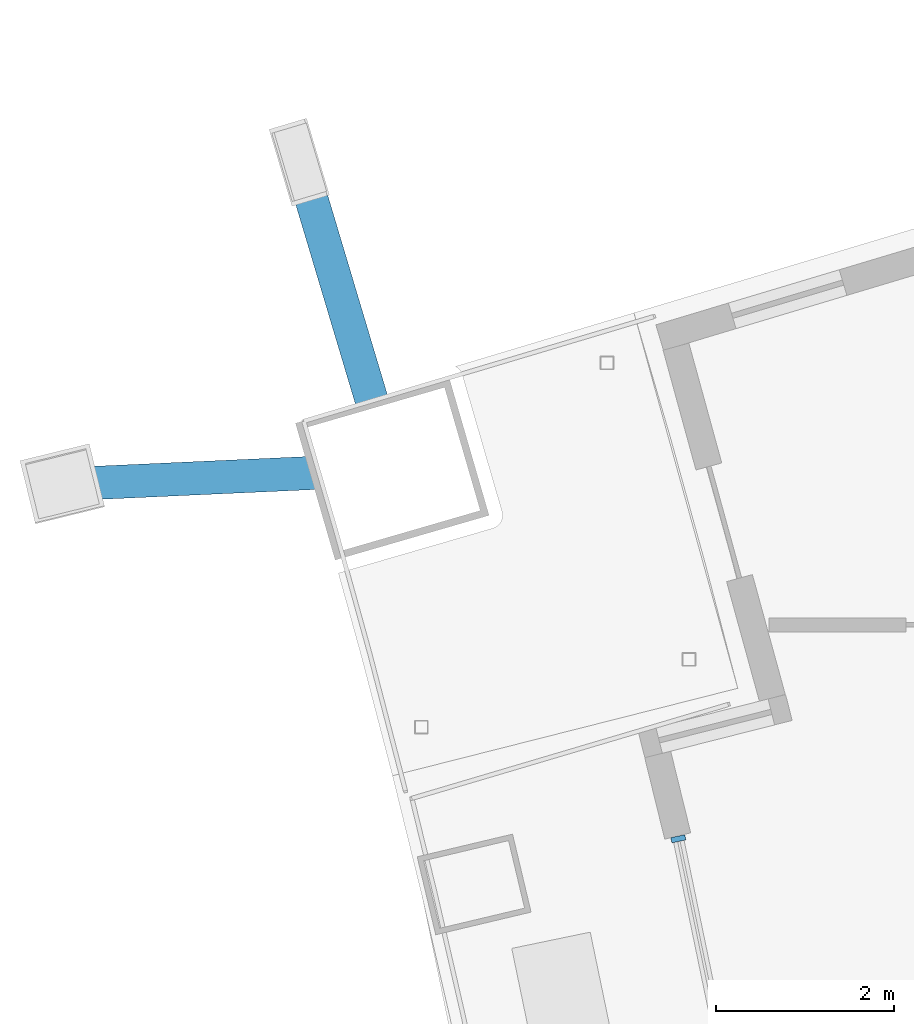
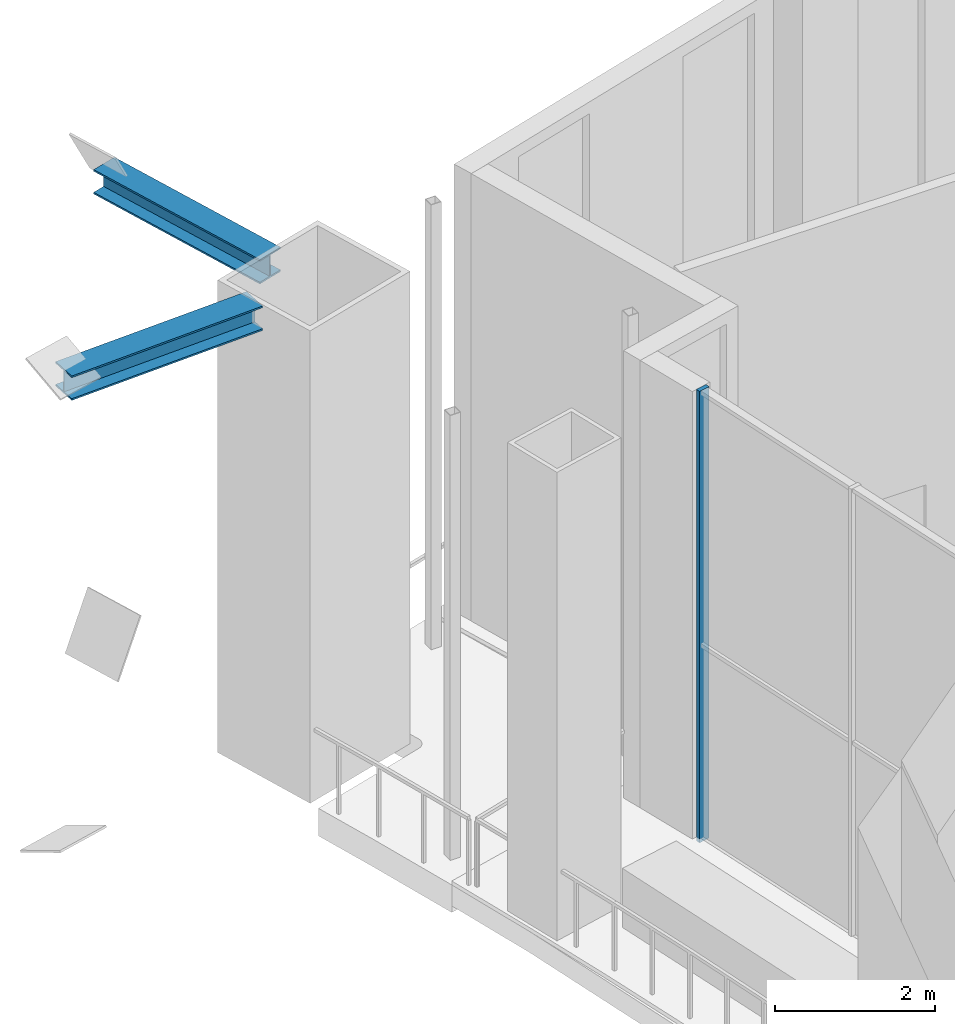
# One storey, part 12 of 26: 3 members, 1 element without a shape of its own.
"""IFC4 building model written with IfcOpenShell, lengths in metres."""

from ifc_helpers import new_model, si_unit, direction, frame, origin, origin_2d, place, context, subcontext, project, spatial, rectangle, i_section, extrude, material, layer, layer_set, material_profile, profile_set, type_object, element, aggregate, save


model = new_model("IFC4")

# Units and contexts
model_context = context("Model", 3, precision=1e-05, world=origin(), true_north=direction((0.0, 1.0)))
body_context = subcontext(model_context, "Body", "Model", "MODEL_VIEW")
ifc_project = project(units=[si_unit("LENGTHUNIT", "METRE"), si_unit("AREAUNIT", "SQUARE_METRE"), si_unit("VOLUMEUNIT", "CUBIC_METRE"), si_unit("PLANEANGLEUNIT", "RADIAN"), si_unit("MASSUNIT", "GRAM", prefix="KILO")], contexts=[model_context])

# Site, building, storey
site_placement = place(None, origin())
site = spatial("IfcSite", under=ifc_project, at=site_placement, CompositionType="ELEMENT")
building_placement = place(site_placement, origin())
building = spatial("IfcBuilding", under=site, at=building_placement, Name="Alderwake Tower", CompositionType="ELEMENT")
storey_placement = place(building_placement, frame((0.0, 0.0, 182.0)))
storey = spatial("IfcBuildingStorey", under=building, at=storey_placement, Name="L45", CompositionType="ELEMENT", Elevation=182.0)

# Members
ifc_material_1 = material(Name="Steel ASTM A992 Grade 50", Category="steel")
ifc_material_profile_1 = material_profile(ifc_material_1, i_section(OverallWidth=0.3740234375, OverallDepth=0.372314453125, WebThickness=0.016357421875, FlangeThickness=0.026123046875, at=origin_2d()), Name="W14X132")
ifc_profile_set_1 = profile_set([ifc_material_profile_1], Name="Steel ASTM A992 Grade 50")
member_type_1 = type_object("IfcMemberType", Name="Brace node stub W14X132", PredefinedType="MEMBER", material=ifc_profile_set_1)
member_1_placement = place(storey_placement, frame((12.188232421875, 87.95751953125, 6.993896484375), z_axis=(-0.998959275169, -0.045611035436, 0.0), x_axis=(0.045611035436, -0.998959275169, 0.0)))
element("IfcMember", 1, at=member_1_placement, inside=storey, type_object=member_type_1, Name="Brace node stub BS.RR12-C0.1892", PredefinedType="MEMBER", context=body_context, shape_type="SweptSolid", body=[
    extrude(i_section(OverallWidth=0.3740234375, OverallDepth=0.372314453125, WebThickness=0.016357421875, FlangeThickness=0.026123046875, at=origin_2d()), origin(), (0.0, 0.0, 1.0), 2.83154296875),
])
member_2_placement = place(storey_placement, frame((12.848388671875, 88.71630859375, 6.993896484375), z_axis=(-0.286523380206, 0.95807325012, 0.0), x_axis=(-0.95807325012, -0.286523380206, 0.0)))
element("IfcMember", 2, at=member_2_placement, inside=storey, type_object=member_type_1, Name="Brace node stub BS.NR12-C0.1892", PredefinedType="MEMBER", context=body_context, shape_type="SweptSolid", body=[
    extrude(i_section(OverallWidth=0.3740234375, OverallDepth=0.372314453125, WebThickness=0.016357421875, FlangeThickness=0.026123046875, at=origin_2d()), origin(), (0.0, 0.0, 1.0), 2.852783203125),
])

# Curtain wall, member
ifc_material_2 = material(Name="Bronze tinted glass in aluminium frame", Category="aluminium")
ifc_layer = layer(ifc_material_2, 0.199951171875)
ifc_layer_set = layer_set([ifc_layer], Name="Curtain wall CW3 sky garden glazing")
curtain_wall_type = type_object("IfcCurtainWallType", Name="Curtain wall CW3 sky garden glazing", PredefinedType="NOTDEFINED", material=ifc_layer_set)
curtain_wall_placement = place(storey_placement, origin())
curtain_wall = element("IfcCurtainWall", 3, at=curtain_wall_placement, inside=storey, type_object=curtain_wall_type, Name="Curtain wall 1", PredefinedType="NOTDEFINED")
ifc_material_3 = material(Name="Aluminium bronze anodised", Category="aluminium")
ifc_material_profile_2 = material_profile(ifc_material_3, rectangle(XDim=0.159912109375, YDim=0.06005859375, at=origin_2d()), Name="Mullion MUC 60x160")
ifc_profile_set_2 = profile_set([ifc_material_profile_2], Name="Aluminium bronze anodised")
member_type_2 = type_object("IfcMemberType", Name="Mullion MUC 60x160", PredefinedType="MULLION", material=ifc_profile_set_2)
member_3_placement = place(storey_placement, frame((16.27490234375, 83.8486328125, 0.0), z_axis=(0.0, 0.0, 1.0), x_axis=(0.979228937828, 0.202757705944, 0.0)))
member_3 = element("IfcMember", 4, at=member_3_placement, type_object=member_type_2, Name="CW.01 mullion 1", PredefinedType="MULLION", context=body_context, shape_type="SweptSolid", body=[
    extrude(rectangle(XDim=0.159912109375, YDim=0.06005859375, at=origin_2d()), origin(), (0.0, 0.0, 1.0), 6.8798828125),
])
aggregate(curtain_wall, [member_3])

save(model, "model.ifc")
